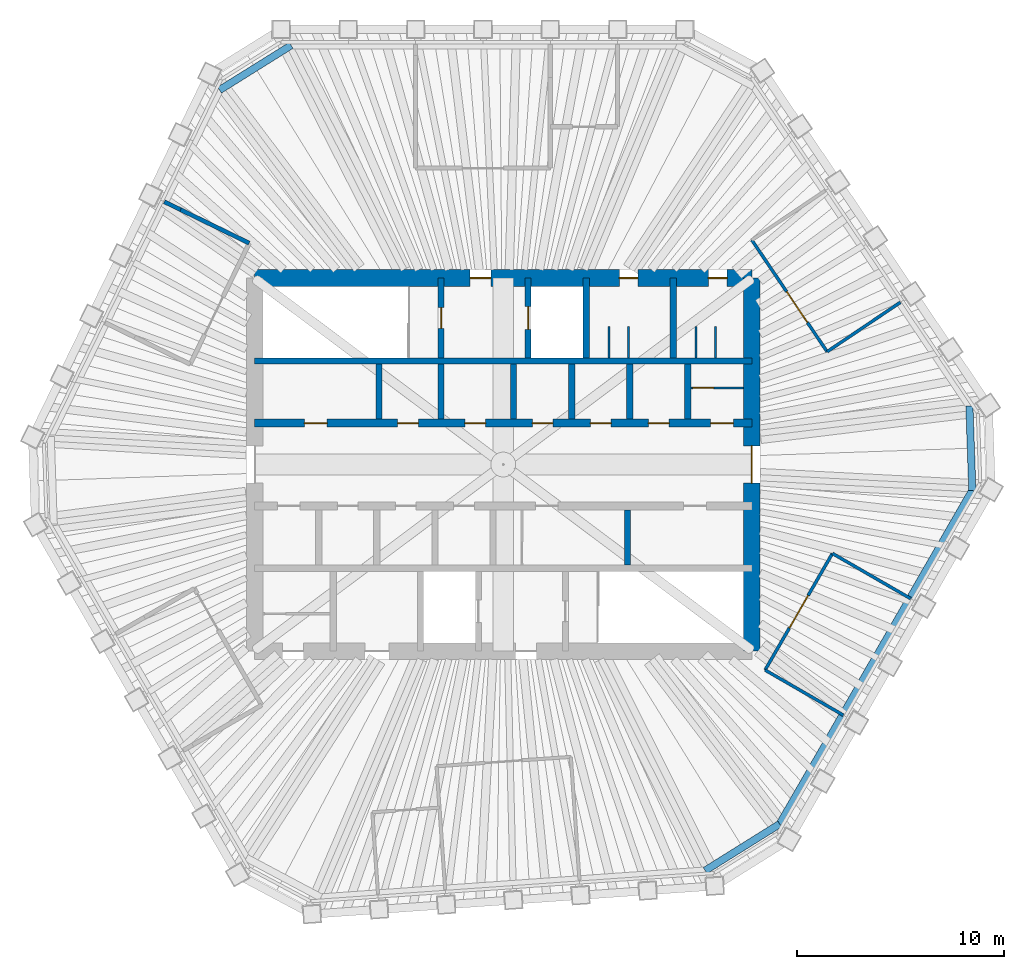
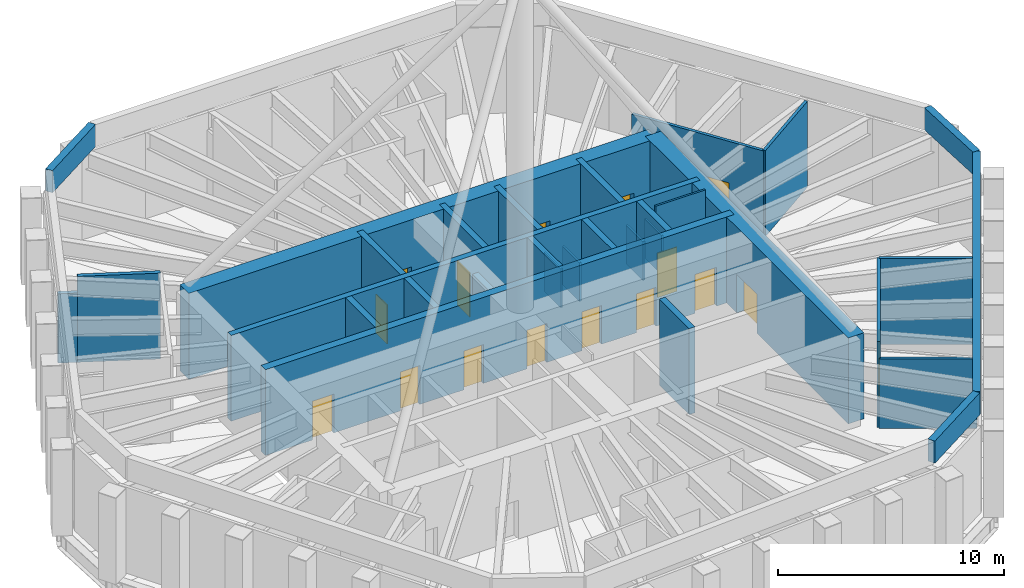
# One storey, part 6 of 9: 31 walls, 16 doors, 16 openings.
"""IFC4 building model written with IfcOpenShell, lengths in metres."""

from ifc_helpers import new_model, si_unit, direction, frame, frame_2d, origin, place, context, subcontext, project, spatial, rectangle, extrude, material, layer, layer_set, type_object, element, fill, save


model = new_model("IFC4")

# Units and contexts
model_context = context("Model", 3, precision=1e-05, world=origin(), true_north=direction((0.0, 1.0)))
body_context = subcontext(model_context, "Body", "Model", "MODEL_VIEW")
ifc_project = project(units=[si_unit("LENGTHUNIT", "METRE"), si_unit("AREAUNIT", "SQUARE_METRE"), si_unit("VOLUMEUNIT", "CUBIC_METRE"), si_unit("PLANEANGLEUNIT", "RADIAN"), si_unit("MASSUNIT", "GRAM", prefix="KILO")], contexts=[model_context])

# Site, building, storey
site_placement = place(None, origin())
site = spatial("IfcSite", under=ifc_project, at=site_placement, CompositionType="ELEMENT")
building_placement = place(site_placement, origin())
building = spatial("IfcBuilding", under=site, at=building_placement, Name="Qingtian Harvest Tower", CompositionType="ELEMENT")
storey_placement = place(building_placement, frame((0.0, 0.0, 343.60009765625)))
storey = spatial("IfcBuildingStorey", under=building, at=storey_placement, Name="L76", CompositionType="ELEMENT", Elevation=343.60009765625)

# Wall
ifc_material_1 = material(Name="Concrete fc' 70 MPa", Category="concrete")
ifc_layer_1 = layer(ifc_material_1, 0.300048828125)
ifc_layer_set_1 = layer_set([ifc_layer_1], Name="Core inner wall RC5 300")
wall_type_1 = type_object("IfcWallType", Name="Core inner wall RC5 300", PredefinedType="SHEAR", material=ifc_layer_set_1)
wall_1_placement = place(storey_placement, frame((-12.0, 5.0, 0.0), z_axis=(0.0, 0.0, 1.0), x_axis=(1.0, 0.0, 0.0)))
element("IfcWall", 1, at=wall_1_placement, inside=storey, type_object=wall_type_1, Name="Core wall IN5 L76", PredefinedType="SHEAR", context=body_context, shape_type="SweptSolid", body=[
    extrude(rectangle(XDim=24.0, YDim=0.300048828125, at=frame_2d((12.0, 0.0))), origin(), (0.0, 0.0, 1.0), 4.64990234375),
])

# Wall, openings, doors
ifc_material_2 = material(Name="Concrete fc' 70 MPa", Category="concrete")
ifc_layer_2 = layer(ifc_material_2, 0.39990234375)
ifc_layer_set_2 = layer_set([ifc_layer_2], Name="Core inner web RC6 400")
wall_type_2 = type_object("IfcWallType", Name="Core inner web RC6 400", PredefinedType="SHEAR", material=ifc_layer_set_2)
wall_2_placement = place(storey_placement, frame((-12.0, 2.0, 0.0), z_axis=(0.0, 0.0, 1.0), x_axis=(1.0, 0.0, 0.0)))
wall_2 = element("IfcWall", 2, at=wall_2_placement, inside=storey, type_object=wall_type_2, Name="Core wall IN2 L76", PredefinedType="SHEAR", context=body_context, shape_type="SweptSolid", body=[
    extrude(rectangle(XDim=24.0, YDim=0.39990234375, at=frame_2d((12.0, 0.0))), origin(), (0.0, 0.0, 1.0), 4.64990234375),
])
opening_1_placement = place(wall_2_placement, frame((2.39990234375, 0.0, 0.0)))
opening_1 = element("IfcOpeningElement", 3, at=opening_1_placement, cuts=wall_2, Name="Opening FD4", PredefinedType="OPENING", context=body_context, shape_type="SweptSolid", body=[
    extrude(rectangle(XDim=1.10009765625, YDim=2.10009765625, at=frame_2d((0.550048828125, 1.050048828125))), frame((0.0, 0.2099609375, 0.0), z_axis=(0.0, -1.0, 0.0), x_axis=(1.0, 0.0, 0.0)), (0.0, 0.0, 1.0), 0.419921875),
])
opening_2_placement = place(wall_2_placement, frame((22.0, 0.0, 0.0)))
opening_2 = element("IfcOpeningElement", 4, at=opening_2_placement, cuts=wall_2, Name="Opening FD4", PredefinedType="OPENING", context=body_context, shape_type="SweptSolid", body=[
    extrude(rectangle(XDim=1.10009765625, YDim=2.10009765625, at=frame_2d((0.550048828125, 1.050048828125))), frame((0.0, 0.2099609375, 0.0), z_axis=(0.0, -1.0, 0.0), x_axis=(1.0, 0.0, 0.0)), (0.0, 0.0, 1.0), 0.419921875),
])
opening_3_placement = place(wall_2_placement, frame((10.14990234375, 0.0, 0.0)))
opening_3 = element("IfcOpeningElement", 5, at=opening_3_placement, cuts=wall_2, Name="Opening FD1", PredefinedType="OPENING", context=body_context, shape_type="SweptSolid", body=[
    extrude(rectangle(XDim=1.0, YDim=2.10009765625, at=frame_2d((0.5, 1.050048828125))), frame((0.0, 0.2099609375, 0.0), z_axis=(0.0, -1.0, 0.0), x_axis=(1.0, 0.0, 0.0)), (0.0, 0.0, 1.0), 0.419921875),
])
opening_4_placement = place(wall_2_placement, frame((6.89990234375, 0.0, 0.0)))
opening_4 = element("IfcOpeningElement", 6, at=opening_4_placement, cuts=wall_2, Name="Opening FD1", PredefinedType="OPENING", context=body_context, shape_type="SweptSolid", body=[
    extrude(rectangle(XDim=1.0, YDim=2.10009765625, at=frame_2d((0.5, 1.050048828125))), frame((0.0, 0.2099609375, 0.0), z_axis=(0.0, -1.0, 0.0), x_axis=(1.0, 0.0, 0.0)), (0.0, 0.0, 1.0), 0.419921875),
])
opening_5_placement = place(wall_2_placement, frame((13.39990234375, 0.0, 0.0)))
opening_5 = element("IfcOpeningElement", 7, at=opening_5_placement, cuts=wall_2, Name="Opening FD1", PredefinedType="OPENING", context=body_context, shape_type="SweptSolid", body=[
    extrude(rectangle(XDim=1.0, YDim=2.10009765625, at=frame_2d((0.5, 1.050048828125))), frame((0.0, 0.2099609375, 0.0), z_axis=(0.0, -1.0, 0.0), x_axis=(1.0, 0.0, 0.0)), (0.0, 0.0, 1.0), 0.419921875),
])
opening_6_placement = place(wall_2_placement, frame((16.199951171875, 0.0, 0.0)))
opening_6 = element("IfcOpeningElement", 8, at=opening_6_placement, cuts=wall_2, Name="Opening FD1", PredefinedType="OPENING", context=body_context, shape_type="SweptSolid", body=[
    extrude(rectangle(XDim=1.0, YDim=2.10009765625, at=frame_2d((0.5, 1.050048828125))), frame((0.0, 0.2099609375, 0.0), z_axis=(0.0, -1.0, 0.0), x_axis=(1.0, 0.0, 0.0)), (0.0, 0.0, 1.0), 0.419921875),
])
opening_7_placement = place(wall_2_placement, frame((19.0, 0.0, 0.0)))
opening_7 = element("IfcOpeningElement", 9, at=opening_7_placement, cuts=wall_2, Name="Opening FD1", PredefinedType="OPENING", context=body_context, shape_type="SweptSolid", body=[
    extrude(rectangle(XDim=1.0, YDim=2.10009765625, at=frame_2d((0.5, 1.050048828125))), frame((0.0, 0.2099609375, 0.0), z_axis=(0.0, -1.0, 0.0), x_axis=(1.0, 0.0, 0.0)), (0.0, 0.0, 1.0), 0.419921875),
])
ifc_material_3 = material(Name="Steel-faced door leaf", Category="steel")
door_type_1 = type_object("IfcDoorType", Name="Fire door FD1 single 1 HR", OperationType="SINGLE_SWING_LEFT", PredefinedType="DOOR", material=ifc_material_3)
door_1_placement = place(opening_3_placement, origin())
door_1 = element("IfcDoor", 10, at=door_1_placement, inside=storey, type_object=door_type_1, Name="STA door L76", OperationType="SINGLE_SWING_RIGHT", OverallHeight=2.10009765625, OverallWidth=1.0, PredefinedType="DOOR", context=body_context, shape_type="SweptSolid", body=[
    extrude(rectangle(XDim=1.0, YDim=2.10009765625, at=frame_2d((0.5, 1.050048828125))), frame((0.0, 0.02490234375, 0.0), z_axis=(0.0, -1.0, 0.0), x_axis=(1.0, 0.0, 0.0)), (0.0, 0.0, 1.0), 0.050048828125),
])
fill(opening_3, door_1)
door_2_placement = place(opening_4_placement, origin())
door_2 = element("IfcDoor", 11, at=door_2_placement, inside=storey, type_object=door_type_1, Name="Spares store door L76", OperationType="SINGLE_SWING_RIGHT", OverallHeight=2.10009765625, OverallWidth=1.0, PredefinedType="DOOR", context=body_context, shape_type="SweptSolid", body=[
    extrude(rectangle(XDim=1.0, YDim=2.10009765625, at=frame_2d((0.5, 1.050048828125))), frame((0.0, 0.02490234375, 0.0), z_axis=(0.0, -1.0, 0.0), x_axis=(1.0, 0.0, 0.0)), (0.0, 0.0, 1.0), 0.050048828125),
])
fill(opening_4, door_2)
door_3_placement = place(opening_5_placement, origin())
door_3 = element("IfcDoor", 12, at=door_3_placement, inside=storey, type_object=door_type_1, Name="Spares store door L76", OperationType="SINGLE_SWING_RIGHT", OverallHeight=2.10009765625, OverallWidth=1.0, PredefinedType="DOOR", context=body_context, shape_type="SweptSolid", body=[
    extrude(rectangle(XDim=1.0, YDim=2.10009765625, at=frame_2d((0.5, 1.050048828125))), frame((0.0, 0.02490234375, 0.0), z_axis=(0.0, -1.0, 0.0), x_axis=(1.0, 0.0, 0.0)), (0.0, 0.0, 1.0), 0.050048828125),
])
fill(opening_5, door_3)
door_4_placement = place(opening_6_placement, origin())
door_4 = element("IfcDoor", 13, at=door_4_placement, inside=storey, type_object=door_type_1, Name="Filter store door L76", OperationType="SINGLE_SWING_RIGHT", OverallHeight=2.10009765625, OverallWidth=1.0, PredefinedType="DOOR", context=body_context, shape_type="SweptSolid", body=[
    extrude(rectangle(XDim=1.0, YDim=2.10009765625, at=frame_2d((0.5, 1.050048828125))), frame((0.0, 0.02490234375, 0.0), z_axis=(0.0, -1.0, 0.0), x_axis=(1.0, 0.0, 0.0)), (0.0, 0.0, 1.0), 0.050048828125),
])
fill(opening_6, door_4)
door_5_placement = place(opening_7_placement, origin())
door_5 = element("IfcDoor", 14, at=door_5_placement, inside=storey, type_object=door_type_1, Name="Tool store door L76", OperationType="SINGLE_SWING_RIGHT", OverallHeight=2.10009765625, OverallWidth=1.0, PredefinedType="DOOR", context=body_context, shape_type="SweptSolid", body=[
    extrude(rectangle(XDim=1.0, YDim=2.10009765625, at=frame_2d((0.5, 1.050048828125))), frame((0.0, 0.02490234375, 0.0), z_axis=(0.0, -1.0, 0.0), x_axis=(1.0, 0.0, 0.0)), (0.0, 0.0, 1.0), 0.050048828125),
])
fill(opening_7, door_5)
ifc_material_4 = material(Name="Steel-faced door leaf", Category="steel")
door_type_2 = type_object("IfcDoorType", Name="Fire door FD4 single 2 HR", OperationType="SINGLE_SWING_LEFT", PredefinedType="DOOR", material=ifc_material_4)
door_6_placement = place(opening_1_placement, origin())
door_6 = element("IfcDoor", 15, at=door_6_placement, inside=storey, type_object=door_type_2, Name="RA door L76", OperationType="SINGLE_SWING_LEFT", OverallHeight=2.10009765625, OverallWidth=1.10009765625, PredefinedType="DOOR", context=body_context, shape_type="SweptSolid", body=[
    extrude(rectangle(XDim=1.10009765625, YDim=2.10009765625, at=frame_2d((0.550048828125, 1.050048828125))), frame((0.0, 0.02490234375, 0.0), z_axis=(0.0, -1.0, 0.0), x_axis=(1.0, 0.0, 0.0)), (0.0, 0.0, 1.0), 0.050048828125),
])
fill(opening_1, door_6)
door_7_placement = place(opening_2_placement, origin())
door_7 = element("IfcDoor", 16, at=door_7_placement, inside=storey, type_object=door_type_2, Name="AHU door L76", OperationType="SINGLE_SWING_LEFT", OverallHeight=2.10009765625, OverallWidth=1.10009765625, PredefinedType="DOOR", context=body_context, shape_type="SweptSolid", body=[
    extrude(rectangle(XDim=1.10009765625, YDim=2.10009765625, at=frame_2d((0.550048828125, 1.050048828125))), frame((0.0, 0.02490234375, 0.0), z_axis=(0.0, -1.0, 0.0), x_axis=(1.0, 0.0, 0.0)), (0.0, 0.0, 1.0), 0.050048828125),
])
fill(opening_2, door_7)

# Wall, opening, door
ifc_material_5 = material(Name="Precast concrete shaft panel", Category="concrete")
ifc_layer_3 = layer(ifc_material_5, 0.300048828125)
ifc_layer_set_3 = layer_set([ifc_layer_3], Name="Core shaft partition SW1 300")
wall_type_3 = type_object("IfcWallType", Name="Core shaft partition SW1 300", PredefinedType="PARTITIONING", material=ifc_layer_set_3)
wall_3_placement = place(storey_placement, frame((-3.0, 5.14990234375, 0.0), z_axis=(0.0, 0.0, 1.0), x_axis=(0.0, 1.0, 0.0)))
wall_3 = element("IfcWall", 17, at=wall_3_placement, inside=storey, type_object=wall_type_3, Name="Core shaft partition XN1 L76", PredefinedType="PARTITIONING", context=body_context, shape_type="SweptSolid", body=[
    extrude(rectangle(XDim=3.85009765625, YDim=0.300048828125, at=frame_2d((1.925048828125, 0.0))), origin(), (0.0, 0.0, 1.0), 4.64990234375),
])
opening_8_placement = place(wall_3_placement, frame((1.425048828125, 0.0, 0.0)))
opening_8 = element("IfcOpeningElement", 18, at=opening_8_placement, cuts=wall_3, Name="Opening FD1", PredefinedType="OPENING", context=body_context, shape_type="SweptSolid", body=[
    extrude(rectangle(XDim=1.0, YDim=2.10009765625, at=frame_2d((0.5, 1.050048828125))), frame((0.0, 0.159912109375, 0.0), z_axis=(0.0, -1.0, 0.0), x_axis=(1.0, 0.0, 0.0)), (0.0, 0.0, 1.0), 0.320068359375),
])
door_8_placement = place(opening_8_placement, origin())
door_8 = element("IfcDoor", 19, at=door_8_placement, inside=storey, type_object=door_type_1, Name="S1 door L76", OperationType="SINGLE_SWING_LEFT", OverallHeight=2.10009765625, OverallWidth=1.0, PredefinedType="DOOR", context=body_context, shape_type="SweptSolid", body=[
    extrude(rectangle(XDim=1.0, YDim=2.10009765625, at=frame_2d((0.5, 1.050048828125))), frame((0.0, 0.02490234375, 0.0), z_axis=(0.0, -1.0, 0.0), x_axis=(1.0, 0.0, 0.0)), (0.0, 0.0, 1.0), 0.050048828125),
])
fill(opening_8, door_8)

wall_4_placement = place(storey_placement, frame((1.199951171875, 5.14990234375, 0.0), z_axis=(0.0, 0.0, 1.0), x_axis=(0.0, 1.0, 0.0)))
wall_4 = element("IfcWall", 20, at=wall_4_placement, inside=storey, type_object=wall_type_3, Name="Core shaft partition XN2 L76", PredefinedType="PARTITIONING", context=body_context, shape_type="SweptSolid", body=[
    extrude(rectangle(XDim=3.85009765625, YDim=0.300048828125, at=frame_2d((1.925048828125, 0.0))), origin(), (0.0, 0.0, 1.0), 4.64990234375),
])
opening_9_placement = place(wall_4_placement, frame((1.375, 0.0, 0.0)))
opening_9 = element("IfcOpeningElement", 21, at=opening_9_placement, cuts=wall_4, Name="Opening LD1", PredefinedType="OPENING", context=body_context, shape_type="SweptSolid", body=[
    extrude(rectangle(XDim=1.10009765625, YDim=2.39990234375, at=frame_2d((0.550048828125, 1.199951171875))), frame((0.0, 0.159912109375, 0.0), z_axis=(0.0, -1.0, 0.0), x_axis=(1.0, 0.0, 0.0)), (0.0, 0.0, 1.0), 0.320068359375),
])
ifc_material_6 = material(Name="Stainless steel lift landing door", Category="steel")
door_type_3 = type_object("IfcDoorType", Name="Lift landing door LD1 1 HR", OperationType="DOUBLE_DOOR_SLIDING", PredefinedType="DOOR", material=ifc_material_6)
door_9_placement = place(opening_9_placement, origin())
door_9 = element("IfcDoor", 22, at=door_9_placement, inside=storey, type_object=door_type_3, Name="FL1 landing door L76", OperationType="DOUBLE_DOOR_SLIDING", OverallHeight=2.39990234375, OverallWidth=1.10009765625, PredefinedType="DOOR", context=body_context, shape_type="SweptSolid", body=[
    extrude(rectangle(XDim=1.10009765625, YDim=2.39990234375, at=frame_2d((0.550048828125, 1.199951171875))), frame((0.0, 0.02490234375, 0.0), z_axis=(0.0, -1.0, 0.0), x_axis=(1.0, 0.0, 0.0)), (0.0, 0.0, 1.0), 0.050048828125),
])
fill(opening_9, door_9)

# Walls
for number, where, z_axis, x_axis, name in (
    (23, (4.0, 5.14990234375, 0.0), (0.0, 0.0, 1.0), (0.0, 1.0, 0.0), "Core shaft partition XN3 L76"),
    (24, (8.199951171875, 5.14990234375, 0.0), (0.0, 0.0, 1.0), (0.0, 1.0, 0.0), "Core shaft partition XN4 L76"),
):
    element("IfcWall", number, at=place(storey_placement, frame(where, z_axis=z_axis, x_axis=x_axis)), inside=storey, type_object=wall_type_3, Name=name, PredefinedType="PARTITIONING", context=body_context, shape_type="SweptSolid", body=[
        extrude(rectangle(XDim=3.85009765625, YDim=0.300048828125, at=frame_2d((1.925048828125, 0.0))), origin(), (0.0, 0.0, 1.0), 4.64990234375),
    ])
for number, where, z_axis, x_axis, name in (
    (25, (-6.0, 2.199951171875, 0.0), (0.0, 0.0, 1.0), (0.0, 1.0, 0.0), "Core shaft partition XA1 L76"),
    (26, (-3.0, 2.199951171875, 0.0), (0.0, 0.0, 1.0), (0.0, 1.0, 0.0), "Core shaft partition XA2 L76"),
):
    element("IfcWall", number, at=place(storey_placement, frame(where, z_axis=z_axis, x_axis=x_axis)), inside=storey, type_object=wall_type_3, Name=name, PredefinedType="PARTITIONING", context=body_context, shape_type="SweptSolid", body=[
        extrude(rectangle(XDim=2.650146484375, YDim=0.300048828125, at=frame_2d((1.3251953125, 0.0))), origin(), (0.0, 0.0, 1.0), 4.64990234375),
    ])
wall_5_placement = place(storey_placement, frame((0.5, 2.199951171875, 0.0), z_axis=(0.0, 0.0, 1.0), x_axis=(0.0, 1.0, 0.0)))
element("IfcWall", 27, at=wall_5_placement, inside=storey, type_object=wall_type_3, Name="Core shaft partition XA3 L76", PredefinedType="PARTITIONING", context=body_context, shape_type="SweptSolid", body=[
    extrude(rectangle(XDim=2.650146484375, YDim=0.300048828125, at=frame_2d((1.3251953125, 0.0))), origin(), (0.0, 0.0, 1.0), 3.64990234375),
])
for number, where, z_axis, x_axis, name in (
    (28, (3.300048828125, 2.199951171875, 0.0), (0.0, 0.0, 1.0), (0.0, 1.0, 0.0), "Core shaft partition XA4 L76"),
    (29, (6.10009765625, 2.199951171875, 0.0), (0.0, 0.0, 1.0), (0.0, 1.0, 0.0), "Core shaft partition XA5 L76"),
    (30, (8.89990234375, 2.199951171875, 0.0), (0.0, 0.0, 1.0), (0.0, 1.0, 0.0), "Core shaft partition XA6 L76"),
    (31, (6.0, -4.85009765625, 0.0), (0.0, 0.0, 1.0), (0.0, 1.0, 0.0), "Core shaft partition XB5 L76"),
):
    element("IfcWall", number, at=place(storey_placement, frame(where, z_axis=z_axis, x_axis=x_axis)), inside=storey, type_object=wall_type_3, Name=name, PredefinedType="PARTITIONING", context=body_context, shape_type="SweptSolid", body=[
        extrude(rectangle(XDim=2.650146484375, YDim=0.300048828125, at=frame_2d((1.3251953125, 0.0))), origin(), (0.0, 0.0, 1.0), 4.64990234375),
    ])

# Wall, openings, doors
ifc_material_7 = material(Name="Concrete fc' 70 MPa", Category="concrete")
ifc_layer_4 = layer(ifc_material_7, 0.800048828125)
ifc_layer_set_4 = layer_set([ifc_layer_4], Name="Core wall RC4 800")
wall_type_4 = type_object("IfcWallType", Name="Core wall RC4 800", PredefinedType="SHEAR", material=ifc_layer_set_4)
wall_6_placement = place(storey_placement, frame((-12.0, 9.0, 0.0), z_axis=(0.0, 0.0, 1.0), x_axis=(1.0, 0.0, 0.0)))
wall_6 = element("IfcWall", 32, at=wall_6_placement, inside=storey, type_object=wall_type_4, Name="Core wall CN L76", PredefinedType="SHEAR", context=body_context, shape_type="SweptSolid", body=[
    extrude(rectangle(XDim=24.0, YDim=0.800048828125, at=frame_2d((12.0, 0.0))), origin(), (0.0, 0.0, 1.0), 4.64990234375),
])
opening_10_placement = place(wall_6_placement, frame((10.39990234375, 0.0, 0.0)))
opening_10 = element("IfcOpeningElement", 33, at=opening_10_placement, cuts=wall_6, Name="Opening FD1", PredefinedType="OPENING", context=body_context, shape_type="SweptSolid", body=[
    extrude(rectangle(XDim=1.0, YDim=2.10009765625, at=frame_2d((0.5, 1.050048828125))), frame((0.0, 0.409912109375, 0.0), z_axis=(0.0, -1.0, 0.0), x_axis=(1.0, 0.0, 0.0)), (0.0, 0.0, 1.0), 0.820068359375),
])
opening_11_placement = place(wall_6_placement, frame((17.60009765625, 0.0, 0.0)))
opening_11 = element("IfcOpeningElement", 34, at=opening_11_placement, cuts=wall_6, Name="Opening D1", PredefinedType="OPENING", context=body_context, shape_type="SweptSolid", body=[
    extrude(rectangle(XDim=0.89990234375, YDim=2.10009765625, at=frame_2d((0.449951171875, 1.050048828125))), frame((0.0, 0.409912109375, 0.0), z_axis=(0.0, -1.0, 0.0), x_axis=(1.0, 0.0, 0.0)), (0.0, 0.0, 1.0), 0.820068359375),
])
opening_12_placement = place(wall_6_placement, frame((21.89990234375, 0.0, 0.0)))
opening_12 = element("IfcOpeningElement", 35, at=opening_12_placement, cuts=wall_6, Name="Opening D1", PredefinedType="OPENING", context=body_context, shape_type="SweptSolid", body=[
    extrude(rectangle(XDim=0.89990234375, YDim=2.10009765625, at=frame_2d((0.449951171875, 1.050048828125))), frame((0.0, 0.409912109375, 0.0), z_axis=(0.0, -1.0, 0.0), x_axis=(1.0, 0.0, 0.0)), (0.0, 0.0, 1.0), 0.820068359375),
])
door_10_placement = place(opening_10_placement, origin())
door_10 = element("IfcDoor", 36, at=door_10_placement, inside=storey, type_object=door_type_1, Name="V1 door L76", OperationType="SINGLE_SWING_LEFT", OverallHeight=2.10009765625, OverallWidth=1.0, PredefinedType="DOOR", context=body_context, shape_type="SweptSolid", body=[
    extrude(rectangle(XDim=1.0, YDim=2.10009765625, at=frame_2d((0.5, 1.050048828125))), frame((0.0, 0.02490234375, 0.0), z_axis=(0.0, -1.0, 0.0), x_axis=(1.0, 0.0, 0.0)), (0.0, 0.0, 1.0), 0.050048828125),
])
fill(opening_10, door_10)
ifc_material_8 = material(Name="Laminated timber door leaf", Category="wood")
door_type_4 = type_object("IfcDoorType", Name="Toilet door D1 single", OperationType="SINGLE_SWING_LEFT", PredefinedType="DOOR", material=ifc_material_8)
door_11_placement = place(opening_11_placement, origin())
door_11 = element("IfcDoor", 37, at=door_11_placement, inside=storey, type_object=door_type_4, Name="WCM door L76", OperationType="SINGLE_SWING_RIGHT", OverallHeight=2.10009765625, OverallWidth=0.89990234375, PredefinedType="DOOR", context=body_context, shape_type="SweptSolid", body=[
    extrude(rectangle(XDim=0.89990234375, YDim=2.10009765625, at=frame_2d((0.449951171875, 1.050048828125))), frame((0.0, 0.02490234375, 0.0), z_axis=(0.0, -1.0, 0.0), x_axis=(1.0, 0.0, 0.0)), (0.0, 0.0, 1.0), 0.050048828125),
])
fill(opening_11, door_11)
door_12_placement = place(opening_12_placement, origin())
door_12 = element("IfcDoor", 38, at=door_12_placement, inside=storey, type_object=door_type_4, Name="WCF door L76", OperationType="SINGLE_SWING_RIGHT", OverallHeight=2.10009765625, OverallWidth=0.89990234375, PredefinedType="DOOR", context=body_context, shape_type="SweptSolid", body=[
    extrude(rectangle(XDim=0.89990234375, YDim=2.10009765625, at=frame_2d((0.449951171875, 1.050048828125))), frame((0.0, 0.02490234375, 0.0), z_axis=(0.0, -1.0, 0.0), x_axis=(1.0, 0.0, 0.0)), (0.0, 0.0, 1.0), 0.050048828125),
])
fill(opening_12, door_12)

# Wall, opening, door
wall_7_placement = place(storey_placement, frame((12.0, -9.0, 0.0), z_axis=(0.0, 0.0, 1.0), x_axis=(0.0, 1.0, 0.0)))
wall_7 = element("IfcWall", 39, at=wall_7_placement, inside=storey, type_object=wall_type_4, Name="Core wall CE L76", PredefinedType="SHEAR", context=body_context, shape_type="SweptSolid", body=[
    extrude(rectangle(XDim=18.0, YDim=0.800048828125, at=frame_2d((9.0, 0.0))), origin(), (0.0, 0.0, 1.0), 4.64990234375),
])
opening_13_placement = place(wall_7_placement, frame((8.10009765625, 0.0, 0.0)))
opening_13 = element("IfcOpeningElement", 40, at=opening_13_placement, cuts=wall_7, Name="Opening FD2", PredefinedType="OPENING", context=body_context, shape_type="SweptSolid", body=[
    extrude(rectangle(XDim=1.800048828125, YDim=2.10009765625, at=frame_2d((0.89990234375, 1.050048828125))), frame((0.0, 0.409912109375, 0.0), z_axis=(0.0, -1.0, 0.0), x_axis=(1.0, 0.0, 0.0)), (0.0, 0.0, 1.0), 0.820068359375),
])
ifc_material_9 = material(Name="Steel-faced door leaf", Category="steel")
door_type_5 = type_object("IfcDoorType", Name="Fire door FD2 double 1 HR", OperationType="DOUBLE_DOOR_DOUBLE_SWING", PredefinedType="DOOR", material=ifc_material_9)
door_13_placement = place(opening_13_placement, origin())
door_13 = element("IfcDoor", 41, at=door_13_placement, inside=storey, type_object=door_type_5, Name="LOBBY-E door L76", OperationType="DOUBLE_DOOR_DOUBLE_SWING", OverallHeight=2.10009765625, OverallWidth=1.800048828125, PredefinedType="DOOR", context=body_context, shape_type="SweptSolid", body=[
    extrude(rectangle(XDim=1.800048828125, YDim=2.10009765625, at=frame_2d((0.89990234375, 1.050048828125))), frame((0.0, 0.02490234375, 0.0), z_axis=(0.0, -1.0, 0.0), x_axis=(1.0, 0.0, 0.0)), (0.0, 0.0, 1.0), 0.050048828125),
])
fill(opening_13, door_13)

# Walls
ifc_material_10 = material(Name="Blockwork fire wall", Category="masonry")
ifc_layer_5 = layer(ifc_material_10, 0.199951171875)
ifc_layer_set_5 = layer_set([ifc_layer_5], Name="Fire partition FW1 200")
wall_type_5 = type_object("IfcWallType", Name="Fire partition FW1 200", PredefinedType="PARTITIONING", material=ifc_layer_set_5)
wall_8_placement = place(storey_placement, frame((-16.35693359375, 12.679931640625, 0.0), z_axis=(0.0, 0.0, 1.0), x_axis=(0.898800685184, -0.438357534796, 0.0)))
element("IfcWall", 42, at=wall_8_placement, inside=storey, type_object=wall_type_5, Name="Generator room wall L76", PredefinedType="PARTITIONING", context=body_context, shape_type="SweptSolid", body=[
    extrude(rectangle(XDim=0.873291015625, YDim=0.199951171875, at=frame_2d((0.4365234375, 0.0))), origin(), (0.0, 0.0, 1.0), 3.75),
])
wall_9_placement = place(storey_placement, frame((-15.572021484375, 12.297119140625, 0.0), z_axis=(0.0, 0.0, 1.0), x_axis=(0.898793900833, -0.438371445039, 0.0)))
element("IfcWall", 43, at=wall_9_placement, inside=storey, type_object=wall_type_5, Name="Generator room wall L76", PredefinedType="PARTITIONING", context=body_context, shape_type="SweptSolid", body=[
    extrude(rectangle(XDim=3.686767578125, YDim=0.199951171875, at=frame_2d((1.84326171875, 0.0))), origin(), (0.0, 0.0, 1.0), 4.64990234375),
])
ifc_material_11 = material(Name="Gypsum board on steel studs", Category="steel")
ifc_layer_6 = layer(ifc_material_11, 0.14990234375)
ifc_layer_set_6 = layer_set([ifc_layer_6], Name="Partition PT1 150")
wall_type_6 = type_object("IfcWallType", Name="Partition PT1 150", PredefinedType="PARTITIONING", material=ifc_layer_set_6)
wall_10_placement = place(storey_placement, frame((19.15966796875, 7.82568359375, 0.0), z_axis=(0.0, 0.0, 1.0), x_axis=(-0.829022699791, -0.559214952617, 0.0)))
element("IfcWall", 44, at=wall_10_placement, inside=storey, type_object=wall_type_6, Name="Switch room wall L76", PredefinedType="PARTITIONING", context=body_context, shape_type="SweptSolid", body=[
    extrude(rectangle(XDim=4.260009765625, YDim=0.14990234375, at=frame_2d((2.1298828125, 0.0))), origin(), (0.0, 0.0, 1.0), 4.64990234375),
])

# Wall, opening, door
wall_11_placement = place(storey_placement, frame((11.995361328125, 10.828857421875, 0.0), z_axis=(0.0, 0.0, 1.0), x_axis=(0.559193332958, -0.829037282862, 0.0)))
wall_11 = element("IfcWall", 45, at=wall_11_placement, inside=storey, type_object=wall_type_6, Name="Switch room wall L76", PredefinedType="PARTITIONING", context=body_context, shape_type="SweptSolid", body=[
    extrude(rectangle(XDim=6.49609375, YDim=0.14990234375, at=frame_2d((3.248046875, 0.0))), origin(), (0.0, 0.0, 1.0), 4.64990234375),
])
opening_14_placement = place(wall_11_placement, frame((2.99755859375, 0.0, 0.0)))
opening_14 = element("IfcOpeningElement", 46, at=opening_14_placement, cuts=wall_11, Name="Opening D3", PredefinedType="OPENING", context=body_context, shape_type="SweptSolid", body=[
    extrude(rectangle(XDim=1.800048828125, YDim=2.39990234375, at=frame_2d((0.89990234375, 1.199951171875))), frame((0.0, 0.0849609375, 0.0), z_axis=(0.0, -1.0, 0.0), x_axis=(1.0, 0.0, 0.0)), (0.0, 0.0, 1.0), 0.169921875),
])
ifc_material_12 = material(Name="Laminated timber door leaf", Category="wood")
door_type_6 = type_object("IfcDoorType", Name="Room door D3 double", OperationType="DOUBLE_DOOR_DOUBLE_SWING", PredefinedType="DOOR", material=ifc_material_12)
door_14_placement = place(opening_14_placement, origin())
door_14 = element("IfcDoor", 47, at=door_14_placement, inside=storey, type_object=door_type_6, Name="Switch room door L76", OperationType="DOUBLE_DOOR_DOUBLE_SWING", OverallHeight=2.39990234375, OverallWidth=1.800048828125, PredefinedType="DOOR", context=body_context, shape_type="SweptSolid", body=[
    extrude(rectangle(XDim=1.800048828125, YDim=2.39990234375, at=frame_2d((0.89990234375, 1.199951171875))), frame((0.0, 0.02490234375, 0.0), z_axis=(0.0, -1.0, 0.0), x_axis=(1.0, 0.0, 0.0)), (0.0, 0.0, 1.0), 0.050048828125),
])
fill(opening_14, door_14)

# Walls
wall_12_placement = place(storey_placement, frame((19.65869140625, -6.469970703125, 0.0), z_axis=(0.0, 0.0, 1.0), x_axis=(-0.866032659912, 0.499987431809, 0.0)))
element("IfcWall", 48, at=wall_12_placement, inside=storey, type_object=wall_type_6, Name="Boiler plant room wall L76", PredefinedType="PARTITIONING", context=body_context, shape_type="SweptSolid", body=[
    extrude(rectangle(XDim=4.35986328125, YDim=0.14990234375, at=frame_2d((2.179931640625, 0.0))), origin(), (0.0, 0.0, 1.0), 4.64990234375),
])
wall_13_placement = place(storey_placement, frame((16.41064453125, -12.095703125, 0.0), z_axis=(0.0, 0.0, 1.0), x_axis=(-0.866032659912, 0.499987431809, 0.0)))
element("IfcWall", 49, at=wall_13_placement, inside=storey, type_object=wall_type_6, Name="Boiler plant room wall L76", PredefinedType="PARTITIONING", context=body_context, shape_type="SweptSolid", body=[
    extrude(rectangle(XDim=4.35986328125, YDim=0.14990234375, at=frame_2d((2.179931640625, 0.0))), origin(), (0.0, 0.0, 1.0), 3.75),
])

# Wall, opening, door
wall_14_placement = place(storey_placement, frame((15.8828125, -4.2900390625, 0.0), z_axis=(0.0, 0.0, 1.0), x_axis=(-0.500003318956, -0.866023487576, 0.0)))
wall_14 = element("IfcWall", 50, at=wall_14_placement, inside=storey, type_object=wall_type_6, Name="Boiler plant room wall L76", PredefinedType="PARTITIONING", context=body_context, shape_type="SweptSolid", body=[
    extrude(rectangle(XDim=6.49609375, YDim=0.14990234375, at=frame_2d((3.248046875, 0.0))), origin(), (0.0, 0.0, 1.0), 4.64990234375),
])
opening_15_placement = place(wall_14_placement, frame((2.34814453125, 0.0, 0.0)))
opening_15 = element("IfcOpeningElement", 51, at=opening_15_placement, cuts=wall_14, Name="Opening D3", PredefinedType="OPENING", context=body_context, shape_type="SweptSolid", body=[
    extrude(rectangle(XDim=1.800048828125, YDim=2.39990234375, at=frame_2d((0.89990234375, 1.199951171875))), frame((0.0, 0.0849609375, 0.0), z_axis=(0.0, -1.0, 0.0), x_axis=(1.0, 0.0, 0.0)), (0.0, 0.0, 1.0), 0.169921875),
])
door_15_placement = place(opening_15_placement, origin())
door_15 = element("IfcDoor", 52, at=door_15_placement, inside=storey, type_object=door_type_6, Name="Boiler plant room door L76", OperationType="DOUBLE_DOOR_DOUBLE_SWING", OverallHeight=2.39990234375, OverallWidth=1.800048828125, PredefinedType="DOOR", context=body_context, shape_type="SweptSolid", body=[
    extrude(rectangle(XDim=1.800048828125, YDim=2.39990234375, at=frame_2d((0.89990234375, 1.199951171875))), frame((0.0, 0.02490234375, 0.0), z_axis=(0.0, -1.0, 0.0), x_axis=(1.0, 0.0, 0.0)), (0.0, 0.0, 1.0), 0.050048828125),
])
fill(opening_15, door_15)

# Walls
ifc_material_13 = material(Name="Concrete fc' 35 MPa", Category="concrete")
ifc_layer_7 = layer(ifc_material_13, 0.35009765625)
ifc_layer_set_7 = layer_set([ifc_layer_7], Name="Roof parapet PW1 350")
wall_type_7 = type_object("IfcWallType", Name="Roof parapet PW1 350", PredefinedType="PARAPET", material=ifc_layer_set_7)
wall_15_placement = place(storey_placement, frame((22.4921875, 2.822021484375, 5.0), z_axis=(0.0, 0.0, 1.0), x_axis=(0.03490639867, -0.999390585973, 0.0)))
element("IfcWall", 53, at=wall_15_placement, inside=storey, type_object=wall_type_7, Name="Roof parapet 4", PredefinedType="PARAPET", context=body_context, shape_type="SweptSolid", body=[
    extrude(rectangle(XDim=4.070556640625, YDim=0.35009765625, at=frame_2d((2.03515625, 0.0))), origin(), (0.0, 0.0, 1.0), 1.199951171875),
])
wall_16_placement = place(storey_placement, frame((22.63427734375, -1.24609375, 5.0), z_axis=(0.0, 0.0, 1.0), x_axis=(-0.499997535337, -0.866026826754, 0.0)))
element("IfcWall", 54, at=wall_16_placement, inside=storey, type_object=wall_type_7, Name="Roof parapet 5", PredefinedType="PARAPET", context=body_context, shape_type="SweptSolid", body=[
    extrude(rectangle(XDim=18.591796875, YDim=0.35009765625, at=frame_2d((9.2958984375, 0.0))), origin(), (0.0, 0.0, 1.0), 1.199951171875),
])
wall_17_placement = place(storey_placement, frame((13.33837890625, -17.34716796875, 5.0), z_axis=(0.0, 0.0, 1.0), x_axis=(-0.848040374245, -0.529931621675, 0.0)))
element("IfcWall", 55, at=wall_17_placement, inside=storey, type_object=wall_type_7, Name="Roof parapet 6", PredefinedType="PARAPET", context=body_context, shape_type="SweptSolid", body=[
    extrude(rectangle(XDim=4.238037109375, YDim=0.35009765625, at=frame_2d((2.119140625, 0.0))), origin(), (0.0, 0.0, 1.0), 1.199951171875),
])
wall_18_placement = place(storey_placement, frame((-13.690185546875, 18.06787109375, 5.0), z_axis=(0.0, 0.0, 1.0), x_axis=(0.848038733752, 0.529934246919, 0.0)))
element("IfcWall", 56, at=wall_18_placement, inside=storey, type_object=wall_type_7, Name="Roof parapet 12", PredefinedType="PARAPET", context=body_context, shape_type="SweptSolid", body=[
    extrude(rectangle(XDim=4.07080078125, YDim=0.35009765625, at=frame_2d((2.035400390625, 0.0))), origin(), (0.0, 0.0, 1.0), 1.199951171875),
])

# Wall, opening, door
ifc_material_14 = material(Name="Concrete block partition", Category="concrete")
ifc_layer_8 = layer(ifc_material_14, 0.10009765625)
ifc_layer_set_8 = layer_set([ifc_layer_8], Name="Store partition PT3 100")
wall_type_8 = type_object("IfcWallType", Name="Store partition PT3 100", PredefinedType="PARTITIONING", material=ifc_layer_set_8)
wall_19_placement = place(storey_placement, frame((9.050048828125, 3.699951171875, 0.0), z_axis=(0.0, 0.0, 1.0), x_axis=(1.0, 0.0, 0.0)))
wall_19 = element("IfcWall", 57, at=wall_19_placement, inside=storey, type_object=wall_type_8, Name="Filter plant room wall L76", PredefinedType="PARTITIONING", context=body_context, shape_type="SweptSolid", body=[
    extrude(rectangle(XDim=2.550048828125, YDim=0.10009765625, at=frame_2d((1.27490234375, 0.0))), origin(), (0.0, 0.0, 1.0), 5.0),
])
opening_16_placement = place(wall_19_placement, frame((0.10009765625, 0.0, 0.0)))
opening_16 = element("IfcOpeningElement", 58, at=opening_16_placement, cuts=wall_19, Name="Opening D2", PredefinedType="OPENING", context=body_context, shape_type="SweptSolid", body=[
    extrude(rectangle(XDim=1.0, YDim=2.39990234375, at=frame_2d((0.5, 1.199951171875))), frame((0.0, 0.06005859375, 0.0), z_axis=(0.0, -1.0, 0.0), x_axis=(1.0, 0.0, 0.0)), (0.0, 0.0, 1.0), 0.1201171875),
])
ifc_material_15 = material(Name="Laminated timber door leaf", Category="wood")
door_type_7 = type_object("IfcDoorType", Name="Room door D2 single", OperationType="SINGLE_SWING_LEFT", PredefinedType="DOOR", material=ifc_material_15)
door_16_placement = place(opening_16_placement, origin())
door_16 = element("IfcDoor", 59, at=door_16_placement, inside=storey, type_object=door_type_7, Name="Filter plant room door L76", OperationType="SINGLE_SWING_LEFT", OverallHeight=2.39990234375, OverallWidth=1.0, PredefinedType="DOOR", context=body_context, shape_type="SweptSolid", body=[
    extrude(rectangle(XDim=1.0, YDim=2.39990234375, at=frame_2d((0.5, 1.199951171875))), frame((0.0, 0.02490234375, 0.0), z_axis=(0.0, -1.0, 0.0), x_axis=(1.0, 0.0, 0.0)), (0.0, 0.0, 1.0), 0.050048828125),
])
fill(opening_16, door_16)

# Walls
ifc_material_16 = material(Name="Compact laminate cubicle partition", Category="plastic")
ifc_layer_9 = layer(ifc_material_16, 0.10009765625)
ifc_layer_set_9 = layer_set([ifc_layer_9], Name="WC cubicle partition WP1 100")
wall_type_9 = type_object("IfcWallType", Name="WC cubicle partition WP1 100", PredefinedType="PARTITIONING", material=ifc_layer_set_9)
for number, where, z_axis, x_axis, name in (
    (60, (5.10009765625, 5.14990234375, 0.0), (0.0, 0.0, 1.0), (0.0, 1.0, 0.0), "WC cubicle partition WCM L76"),
    (61, (6.050048828125, 5.14990234375, 0.0), (0.0, 0.0, 1.0), (0.0, 1.0, 0.0), "WC cubicle partition WCM L76"),
    (62, (9.300048828125, 5.14990234375, 0.0), (0.0, 0.0, 1.0), (0.0, 1.0, 0.0), "WC cubicle partition WCF L76"),
    (63, (10.25, 5.14990234375, 0.0), (0.0, 0.0, 1.0), (0.0, 1.0, 0.0), "WC cubicle partition WCF L76"),
):
    element("IfcWall", number, at=place(storey_placement, frame(where, z_axis=z_axis, x_axis=x_axis)), inside=storey, type_object=wall_type_9, Name=name, PredefinedType="PARTITIONING", context=body_context, shape_type="SweptSolid", body=[
        extrude(rectangle(XDim=1.5, YDim=0.10009765625, at=frame_2d((0.75, 0.0))), origin(), (0.0, 0.0, 1.0), 2.099853515625),
    ])

save(model, "model.ifc")
